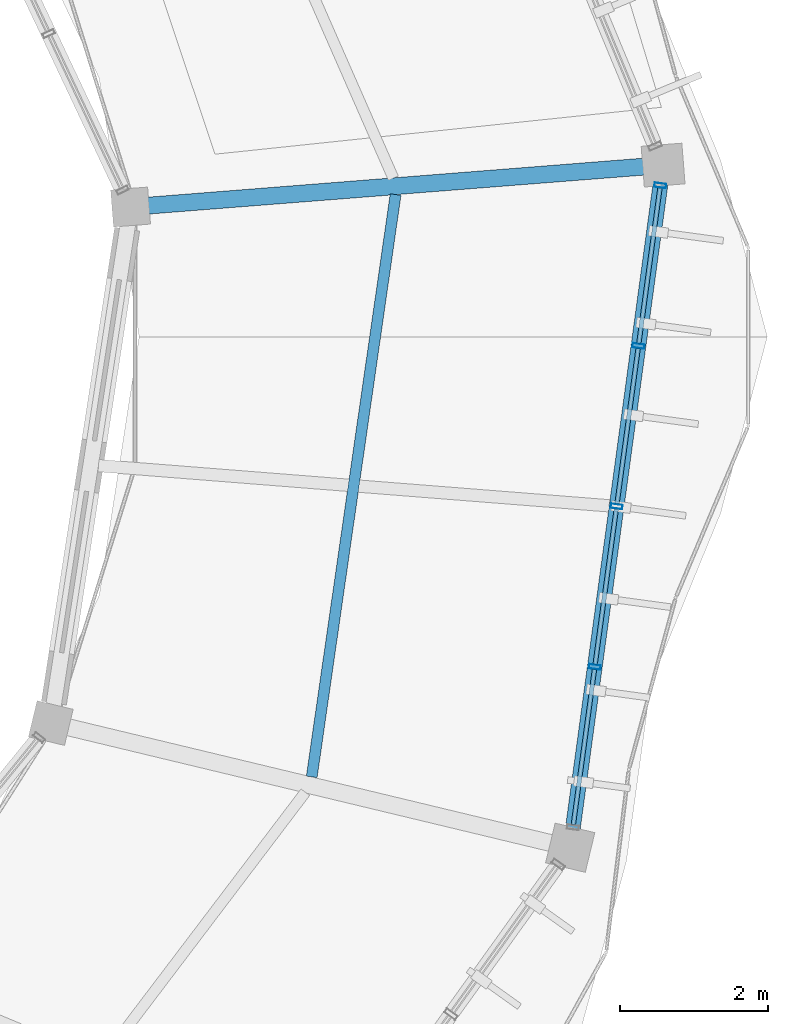
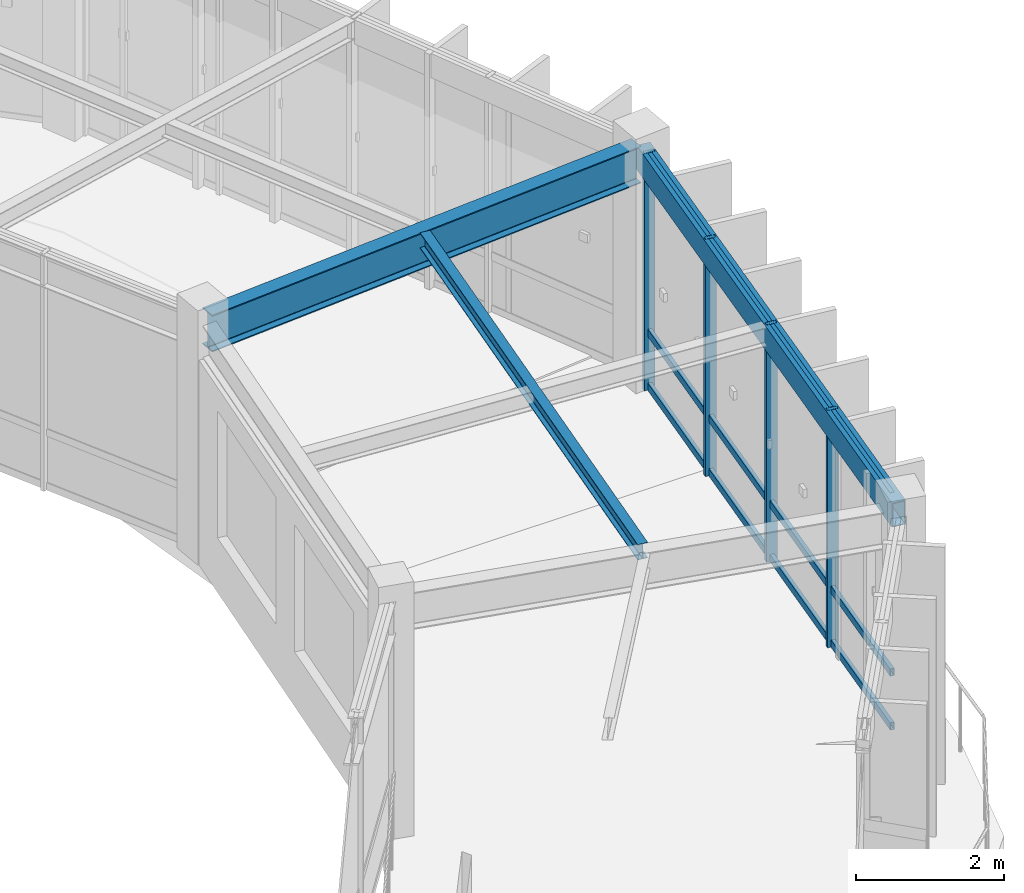
# One storey, part 51 of 79: 16 members, 3 beams, 1 element without a shape of its own.
"""IFC4 building model written with IfcOpenShell, lengths in metres."""

from ifc_helpers import new_model, si_unit, direction, frame, origin, origin_2d, place, context, subcontext, project, spatial, hollow_rectangle, i_section, extrude, material, material_profile, profile_set, type_object, element, aggregate, save


model = new_model("IFC4")

# Units and contexts
model_context = context("Model", 3, precision=1e-05, world=origin(), true_north=direction((0.0, 1.0)))
body_context = subcontext(model_context, "Body", "Model", "MODEL_VIEW")
ifc_project = project(units=[si_unit("LENGTHUNIT", "METRE"), si_unit("AREAUNIT", "SQUARE_METRE"), si_unit("VOLUMEUNIT", "CUBIC_METRE"), si_unit("PLANEANGLEUNIT", "RADIAN"), si_unit("MASSUNIT", "GRAM", prefix="KILO"), si_unit("THERMODYNAMICTEMPERATUREUNIT", "KELVIN"), si_unit("POWERUNIT", "WATT")], contexts=[model_context])

# Site, building, storey
site_placement = place(None, origin())
site = spatial("IfcSite", under=ifc_project, at=site_placement, CompositionType="ELEMENT")
building_placement = place(site_placement, origin())
building = spatial("IfcBuilding", under=site, at=building_placement, Name="Darbajah Civic Hall", CompositionType="ELEMENT")
storey_placement = place(building_placement, frame((0.0, 0.0, 22.199951171875)))
storey = spatial("IfcBuildingStorey", under=building, at=storey_placement, Name="L05", CompositionType="ELEMENT", Elevation=22.199951171875)

# Curtain wall, members
ifc_material_1 = material(Name="Anodised Bronze Aluminium and Low-E Glazing", Category="aluminium")
curtain_wall_type = type_object("IfcCurtainWallType", Name="Unitised Curtain Wall CW-76 8700x3900", PredefinedType="USERDEFINED", material=ifc_material_1)
curtain_wall_placement = place(storey_placement, origin())
curtain_wall = element("IfcCurtainWall", 1, at=curtain_wall_placement, inside=storey, type_object=curtain_wall_type, Name="L05 unitised curtain wall CW-V1O-L05-19", ObjectType="UNITISED CURTAIN WALL", PredefinedType="USERDEFINED")
ifc_material_2 = material(Name="Anodised Bronze Aluminium", Category="aluminium")
ifc_material_profile_1 = material_profile(ifc_material_2, hollow_rectangle(XDim=0.06005859375, YDim=0.159912109375, WallThickness=0.00341796875, at=origin_2d()), Name="ALU MULLION 60x160")
ifc_profile_set_1 = profile_set([ifc_material_profile_1], Name="Anodised Bronze Aluminium")
member_type_1 = type_object("IfcMemberType", Name="ALU MULLION 60x160", PredefinedType="MULLION", material=ifc_profile_set_1)
member_1_placement = place(storey_placement, frame((139.0224609375, 85.350830078125, 0.0), z_axis=(0.0, 0.0, 1.0), x_axis=(0.134850930274, 0.990865897387, 0.0)))
member_1 = element("IfcMember", 2, at=member_1_placement, type_object=member_type_1, Name="CW-V1O-L05-19 mullion 2", PredefinedType="MULLION", context=body_context, shape_type="SweptSolid", body=[
    extrude(hollow_rectangle(XDim=0.06005859375, YDim=0.159912109375, WallThickness=0.00341796875, at=origin_2d()), origin(), (0.0, 0.0, 1.0), 3.920166015625),
])
member_2_placement = place(storey_placement, frame((139.31689453125, 87.513916015625, 0.0), z_axis=(0.0, 0.0, 1.0), x_axis=(0.134850930274, 0.990865897387, 0.0)))
member_2 = element("IfcMember", 3, at=member_2_placement, type_object=member_type_1, Name="CW-V1O-L05-19 mullion 3", PredefinedType="MULLION", context=body_context, shape_type="SweptSolid", body=[
    extrude(hollow_rectangle(XDim=0.06005859375, YDim=0.159912109375, WallThickness=0.00341796875, at=origin_2d()), origin(), (0.0, 0.0, 1.0), 3.920166015625),
])
member_3_placement = place(storey_placement, frame((139.611083984375, 89.677001953125, 0.0), z_axis=(0.0, 0.0, 1.0), x_axis=(0.134850930274, 0.990865897387, 0.0)))
member_3 = element("IfcMember", 4, at=member_3_placement, type_object=member_type_1, Name="CW-V1O-L05-19 mullion 4", PredefinedType="MULLION", context=body_context, shape_type="SweptSolid", body=[
    extrude(hollow_rectangle(XDim=0.06005859375, YDim=0.159912109375, WallThickness=0.00341796875, at=origin_2d()), origin(), (0.0, 0.0, 1.0), 3.920166015625),
])
member_4_placement = place(storey_placement, frame((139.905517578125, 91.840087890625, 0.0), z_axis=(0.0, 0.0, 1.0), x_axis=(0.134850930274, 0.990865897387, 0.0)))
member_4 = element("IfcMember", 5, at=member_4_placement, type_object=member_type_1, Name="CW-V1O-L05-19 mullion 5", PredefinedType="MULLION", context=body_context, shape_type="SweptSolid", body=[
    extrude(hollow_rectangle(XDim=0.06005859375, YDim=0.159912109375, WallThickness=0.00341796875, at=origin_2d()), origin(), (0.0, 0.0, 1.0), 3.920166015625),
])
ifc_material_profile_2 = material_profile(ifc_material_2, hollow_rectangle(XDim=0.06005859375, YDim=0.1201171875, WallThickness=0.003173828125, at=origin_2d()), Name="ALU TRANSOM 60x120")
ifc_profile_set_2 = profile_set([ifc_material_profile_2], Name="Anodised Bronze Aluminium")
member_type_2 = type_object("IfcMemberType", Name="ALU TRANSOM 60x120", PredefinedType="USERDEFINED", material=ifc_profile_set_2)
member_5_placement = place(storey_placement, frame((138.73291015625, 83.22265625, 0.06005859375), z_axis=(0.134850217545, 0.990865994385, 0.0), x_axis=(-0.990865994385, 0.134850217545, 0.0)))
member_5 = element("IfcMember", 6, at=member_5_placement, type_object=member_type_2, Name="CW-V1O-L05-19 transom 1.1", ObjectType="TRANSOM", PredefinedType="USERDEFINED", context=body_context, shape_type="SweptSolid", body=[
    extrude(hollow_rectangle(XDim=0.06005859375, YDim=0.1201171875, WallThickness=0.003173828125, at=origin_2d()), origin(), (0.0, 0.0, 1.0), 2.11279296875),
])
member_6_placement = place(storey_placement, frame((138.73291015625, 83.22265625, 0.949951171875), z_axis=(0.134850217545, 0.990865994385, 0.0), x_axis=(-0.990865994385, 0.134850217545, 0.0)))
member_6 = element("IfcMember", 7, at=member_6_placement, type_object=member_type_2, Name="CW-V1O-L05-19 transom 1.2", ObjectType="TRANSOM", PredefinedType="USERDEFINED", context=body_context, shape_type="SweptSolid", body=[
    extrude(hollow_rectangle(XDim=0.06005859375, YDim=0.1201171875, WallThickness=0.003173828125, at=origin_2d()), origin(), (0.0, 0.0, 1.0), 2.11279296875),
])
member_7_placement = place(storey_placement, frame((138.73291015625, 83.22265625, 3.860107421875), z_axis=(0.134850217545, 0.990865994385, 0.0), x_axis=(-0.990865994385, 0.134850217545, 0.0)))
member_7 = element("IfcMember", 8, at=member_7_placement, type_object=member_type_2, Name="CW-V1O-L05-19 transom 1.3", ObjectType="TRANSOM", PredefinedType="USERDEFINED", context=body_context, shape_type="SweptSolid", body=[
    extrude(hollow_rectangle(XDim=0.06005859375, YDim=0.1201171875, WallThickness=0.003173828125, at=origin_2d()), origin(), (0.0, 0.0, 1.0), 2.11279296875),
])
member_8_placement = place(storey_placement, frame((139.027099609375, 85.385498046875, 0.06005859375), z_axis=(0.134834779293, 0.990868095305, 0.0), x_axis=(-0.990868095305, 0.134834779293, 0.0)))
member_8 = element("IfcMember", 9, at=member_8_placement, type_object=member_type_2, Name="CW-V1O-L05-19 transom 2.1", ObjectType="TRANSOM", PredefinedType="USERDEFINED", context=body_context, shape_type="SweptSolid", body=[
    extrude(hollow_rectangle(XDim=0.06005859375, YDim=0.1201171875, WallThickness=0.003173828125, at=origin_2d()), origin(), (0.0, 0.0, 1.0), 2.113037109375),
])
member_9_placement = place(storey_placement, frame((139.027099609375, 85.385498046875, 0.949951171875), z_axis=(0.134834779293, 0.990868095305, 0.0), x_axis=(-0.990868095305, 0.134834779293, 0.0)))
member_9 = element("IfcMember", 10, at=member_9_placement, type_object=member_type_2, Name="CW-V1O-L05-19 transom 2.2", ObjectType="TRANSOM", PredefinedType="USERDEFINED", context=body_context, shape_type="SweptSolid", body=[
    extrude(hollow_rectangle(XDim=0.06005859375, YDim=0.1201171875, WallThickness=0.003173828125, at=origin_2d()), origin(), (0.0, 0.0, 1.0), 2.113037109375),
])
member_10_placement = place(storey_placement, frame((139.027099609375, 85.385498046875, 3.860107421875), z_axis=(0.134834779293, 0.990868095305, 0.0), x_axis=(-0.990868095305, 0.134834779293, 0.0)))
member_10 = element("IfcMember", 11, at=member_10_placement, type_object=member_type_2, Name="CW-V1O-L05-19 transom 2.3", ObjectType="TRANSOM", PredefinedType="USERDEFINED", context=body_context, shape_type="SweptSolid", body=[
    extrude(hollow_rectangle(XDim=0.06005859375, YDim=0.1201171875, WallThickness=0.003173828125, at=origin_2d()), origin(), (0.0, 0.0, 1.0), 2.113037109375),
])
member_11_placement = place(storey_placement, frame((139.321533203125, 87.548583984375, 0.06005859375), z_axis=(0.134834779293, 0.990868095305, 0.0), x_axis=(-0.990868095305, 0.134834779293, 0.0)))
member_11 = element("IfcMember", 12, at=member_11_placement, type_object=member_type_2, Name="CW-V1O-L05-19 transom 3.1", ObjectType="TRANSOM", PredefinedType="USERDEFINED", context=body_context, shape_type="SweptSolid", body=[
    extrude(hollow_rectangle(XDim=0.06005859375, YDim=0.1201171875, WallThickness=0.003173828125, at=origin_2d()), origin(), (0.0, 0.0, 1.0), 2.113037109375),
])
member_12_placement = place(storey_placement, frame((139.321533203125, 87.548583984375, 0.949951171875), z_axis=(0.134834779293, 0.990868095305, 0.0), x_axis=(-0.990868095305, 0.134834779293, 0.0)))
member_12 = element("IfcMember", 13, at=member_12_placement, type_object=member_type_2, Name="CW-V1O-L05-19 transom 3.2", ObjectType="TRANSOM", PredefinedType="USERDEFINED", context=body_context, shape_type="SweptSolid", body=[
    extrude(hollow_rectangle(XDim=0.06005859375, YDim=0.1201171875, WallThickness=0.003173828125, at=origin_2d()), origin(), (0.0, 0.0, 1.0), 2.113037109375),
])
member_13_placement = place(storey_placement, frame((139.321533203125, 87.548583984375, 3.860107421875), z_axis=(0.134834779293, 0.990868095305, 0.0), x_axis=(-0.990868095305, 0.134834779293, 0.0)))
member_13 = element("IfcMember", 14, at=member_13_placement, type_object=member_type_2, Name="CW-V1O-L05-19 transom 3.3", ObjectType="TRANSOM", PredefinedType="USERDEFINED", context=body_context, shape_type="SweptSolid", body=[
    extrude(hollow_rectangle(XDim=0.06005859375, YDim=0.1201171875, WallThickness=0.003173828125, at=origin_2d()), origin(), (0.0, 0.0, 1.0), 2.113037109375),
])
member_14_placement = place(storey_placement, frame((139.615966796875, 89.711669921875, 0.06005859375), z_axis=(0.134834779293, 0.990868095305, 0.0), x_axis=(-0.990868095305, 0.134834779293, 0.0)))
member_14 = element("IfcMember", 15, at=member_14_placement, type_object=member_type_2, Name="CW-V1O-L05-19 transom 4.1", ObjectType="TRANSOM", PredefinedType="USERDEFINED", context=body_context, shape_type="SweptSolid", body=[
    extrude(hollow_rectangle(XDim=0.06005859375, YDim=0.1201171875, WallThickness=0.003173828125, at=origin_2d()), origin(), (0.0, 0.0, 1.0), 2.113037109375),
])
member_15_placement = place(storey_placement, frame((139.615966796875, 89.711669921875, 0.949951171875), z_axis=(0.134834779293, 0.990868095305, 0.0), x_axis=(-0.990868095305, 0.134834779293, 0.0)))
member_15 = element("IfcMember", 16, at=member_15_placement, type_object=member_type_2, Name="CW-V1O-L05-19 transom 4.2", ObjectType="TRANSOM", PredefinedType="USERDEFINED", context=body_context, shape_type="SweptSolid", body=[
    extrude(hollow_rectangle(XDim=0.06005859375, YDim=0.1201171875, WallThickness=0.003173828125, at=origin_2d()), origin(), (0.0, 0.0, 1.0), 2.113037109375),
])
member_16_placement = place(storey_placement, frame((139.615966796875, 89.711669921875, 3.860107421875), z_axis=(0.134834779293, 0.990868095305, 0.0), x_axis=(-0.990868095305, 0.134834779293, 0.0)))
member_16 = element("IfcMember", 17, at=member_16_placement, type_object=member_type_2, Name="CW-V1O-L05-19 transom 4.3", ObjectType="TRANSOM", PredefinedType="USERDEFINED", context=body_context, shape_type="SweptSolid", body=[
    extrude(hollow_rectangle(XDim=0.06005859375, YDim=0.1201171875, WallThickness=0.003173828125, at=origin_2d()), origin(), (0.0, 0.0, 1.0), 2.113037109375),
])
aggregate(curtain_wall, [member_1, member_2, member_3, member_4, member_5, member_6, member_7, member_8, member_9, member_10, member_11, member_12, member_13, member_14, member_15, member_16])

# Beams
ifc_material_3 = material(Name="Steel S355JR", Category="steel")
ifc_material_profile_3 = material_profile(ifc_material_3, hollow_rectangle(XDim=0.199951171875, YDim=0.39990234375, WallThickness=0.013916015625, at=origin_2d()), Name="RHS 400x200x14")
ifc_profile_set_3 = profile_set([ifc_material_profile_3], Name="Steel S355JR")
beam_type_1 = type_object("IfcBeamType", Name="RHS 400x200x14", PredefinedType="SPANDREL", material=ifc_profile_set_3)
beam_1_placement = place(storey_placement, frame((138.70166015625, 82.99267578125, 3.719970703125), z_axis=(0.134807575565, 0.990871796738, 0.0), x_axis=(-0.990871796738, 0.134807575565, 0.0)))
element("IfcBeam", 18, at=beam_1_placement, inside=storey, type_object=beam_type_1, Name="L05 beam SP-RHS400", PredefinedType="SPANDREL", context=body_context, shape_type="SweptSolid", body=[
    extrude(hollow_rectangle(XDim=0.199951171875, YDim=0.39990234375, WallThickness=0.013916015625, at=origin_2d()), origin(), (0.0, 0.0, 1.0), 9.125732421875),
])
ifc_material_profile_4 = material_profile(ifc_material_3, i_section(OverallWidth=0.146484375, OverallDepth=0.256103515625, WebThickness=0.00634765625, FlangeThickness=0.010986328125, FilletRadius=0.007568359375, at=origin_2d()), Name="UB 254x146x37")
ifc_profile_set_4 = profile_set([ifc_material_profile_4], Name="Steel S355JR")
beam_type_2 = type_object("IfcBeamType", Name="UB 254x146x37", PredefinedType="JOIST", material=ifc_profile_set_4)
beam_2_placement = place(storey_placement, frame((135.206787109375, 83.86865234375, 3.7919921875), z_axis=(0.142580747671, 0.989783173424, 0.0), x_axis=(-0.989783173424, 0.142580747671, 0.0)))
element("IfcBeam", 19, at=beam_2_placement, inside=storey, type_object=beam_type_2, Name="L05 beam SJ-254", PredefinedType="JOIST", context=body_context, shape_type="SweptSolid", body=[
    extrude(i_section(OverallWidth=0.146484375, OverallDepth=0.256103515625, WebThickness=0.00634765625, FlangeThickness=0.010986328125, FilletRadius=0.007568359375, at=origin_2d()), origin(), (0.0, 0.0, 1.0), 7.9296875),
])
ifc_material_profile_5 = material_profile(ifc_material_3, i_section(OverallWidth=0.228271484375, OverallDepth=0.607666015625, WebThickness=0.010986328125, FlangeThickness=0.017333984375, FilletRadius=0.0126953125, at=origin_2d()), Name="UB 610x229x113")
ifc_profile_set_5 = profile_set([ifc_material_profile_5], Name="Steel S355JR")
beam_type_3 = type_object("IfcBeamType", Name="UB 610x229x113", PredefinedType="BEAM", material=ifc_profile_set_5)
beam_3_placement = place(storey_placement, frame((132.8447265625, 91.555908203125, 3.6162109375), z_axis=(0.996918521601, 0.078444000969, 0.0), x_axis=(-0.078444000969, 0.996918521601, 0.0)))
element("IfcBeam", 20, at=beam_3_placement, inside=storey, type_object=beam_type_3, Name="L05 beam SB-610", PredefinedType="BEAM", context=body_context, shape_type="SweptSolid", body=[
    extrude(i_section(OverallWidth=0.228271484375, OverallDepth=0.607666015625, WebThickness=0.010986328125, FlangeThickness=0.017333984375, FilletRadius=0.0126953125, at=origin_2d()), origin(), (0.0, 0.0, 1.0), 7.0400390625),
])

save(model, "model.ifc")
